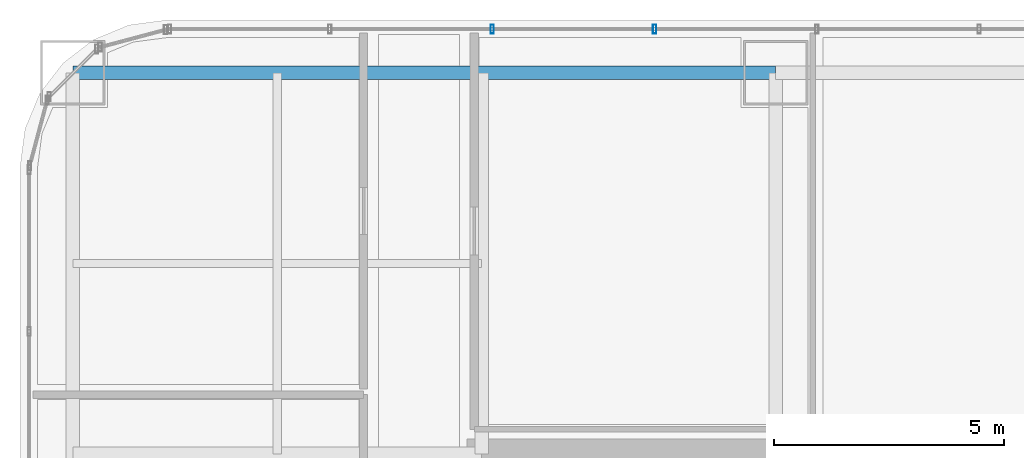
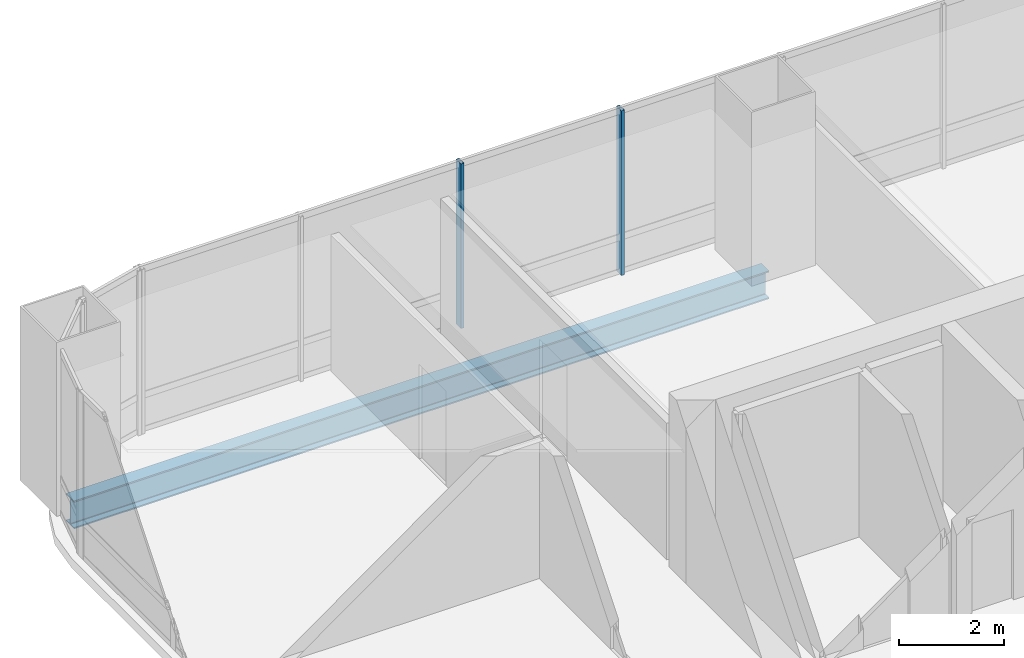
# One storey, part 21 of 36: 2 members, 1 beam, 1 element without a shape of its own.
"""IFC4 building model written with IfcOpenShell, lengths in metres."""

from ifc_helpers import new_model, si_unit, direction, frame, origin, origin_2d, place, context, subcontext, project, spatial, hollow_rectangle, i_section, extrude, material, material_profile, profile_set, type_object, element, aggregate, save


model = new_model("IFC4")

# Units and contexts
model_context = context("Model", 3, precision=1e-05, world=origin(), true_north=direction((0.0, 1.0)))
body_context = subcontext(model_context, "Body", "Model", "MODEL_VIEW")
ifc_project = project(units=[si_unit("LENGTHUNIT", "METRE"), si_unit("AREAUNIT", "SQUARE_METRE"), si_unit("VOLUMEUNIT", "CUBIC_METRE"), si_unit("PLANEANGLEUNIT", "RADIAN"), si_unit("MASSUNIT", "GRAM", prefix="KILO")], contexts=[model_context])

# Site, building, storey
site_placement = place(None, origin())
site = spatial("IfcSite", under=ifc_project, at=site_placement, CompositionType="ELEMENT")
building_placement = place(site_placement, origin())
building = spatial("IfcBuilding", under=site, at=building_placement, Name="Punatoya Terracotta Tower", CompositionType="ELEMENT")
storey_placement = place(building_placement, frame((0.0, 0.0, 212.699951171875)))
storey = spatial("IfcBuildingStorey", under=building, at=storey_placement, Name="L50", CompositionType="ELEMENT", Elevation=212.699951171875)

# Beam
ifc_material_1 = material(Name="Steel S355", Category="steel")
ifc_material_profile_1 = material_profile(ifc_material_1, i_section(OverallWidth=0.300048828125, OverallDepth=0.64990234375, WebThickness=0.01611328125, FlangeThickness=0.031005859375, FilletRadius=0.01806640625, at=origin_2d()))
ifc_profile_set_1 = profile_set([ifc_material_profile_1], Name="Steel S355")
beam_type = type_object("IfcBeamType", Name="BM-PRI-650", PredefinedType="BEAM", material=ifc_profile_set_1)
beam_placement = place(storey_placement, frame((-19.10009765625, 17.5, -0.544921875), z_axis=(1.0, 0.0, 0.0), x_axis=(0.0, 1.0, 0.0)))
element("IfcBeam", 1, at=beam_placement, inside=storey, type_object=beam_type, Name="BM-L50-RG-N1", PredefinedType="BEAM", context=body_context, shape_type="SweptSolid", body=[
    extrude(i_section(OverallWidth=0.300048828125, OverallDepth=0.64990234375, WebThickness=0.01611328125, FlangeThickness=0.031005859375, FilletRadius=0.01806640625, at=origin_2d()), origin(), (0.0, 0.0, 1.0), 15.300048828125),
])

# Curtain wall, members
ifc_material_2 = material(Name="Aluminium 6063-T6 + Double Low-E Glass", Category="aluminium")
curtain_wall_type = type_object("IfcCurtainWallType", Name="CW-M2", PredefinedType="NOTDEFINED", material=ifc_material_2)
curtain_wall_placement = place(storey_placement, origin())
curtain_wall = element("IfcCurtainWall", 2, at=curtain_wall_placement, inside=storey, type_object=curtain_wall_type, Name="L50 Curtain Wall CW-L50-N09-1", PredefinedType="NOTDEFINED")
ifc_material_3 = material(Name="Aluminium 6063-T6", Category="aluminium")
ifc_material_profile_2 = material_profile(ifc_material_3, hollow_rectangle(XDim=0.072021484375, YDim=0.195068359375, WallThickness=0.00439453125, at=origin_2d()))
ifc_profile_set_2 = profile_set([ifc_material_profile_2], Name="Aluminium 6063-T6")
member_type = type_object("IfcMemberType", Name="CW-MUL-M2", PredefinedType="MULLION", material=ifc_profile_set_2)
member_1_placement = place(storey_placement, frame((-6.43505859375, 18.449951171875, 0.0), z_axis=(0.0, 0.0, 1.0), x_axis=(1.0, 0.0, 0.0)))
member_1 = element("IfcMember", 3, at=member_1_placement, type_object=member_type, Name="CW-L50-N09-1 Mullion 08", PredefinedType="MULLION", context=body_context, shape_type="SweptSolid", body=[
    extrude(hollow_rectangle(XDim=0.072021484375, YDim=0.195068359375, WallThickness=0.00439453125, at=origin_2d()), origin(), (0.0, 0.0, 1.0), 3.830078125),
])
member_2_placement = place(storey_placement, frame((-9.968994140625, 18.449951171875, 0.0), z_axis=(0.0, 0.0, 1.0), x_axis=(1.0, 0.0, 0.0)))
member_2 = element("IfcMember", 4, at=member_2_placement, type_object=member_type, Name="CW-L50-N09-1 Mullion 09", PredefinedType="MULLION", context=body_context, shape_type="SweptSolid", body=[
    extrude(hollow_rectangle(XDim=0.072021484375, YDim=0.195068359375, WallThickness=0.00439453125, at=origin_2d()), origin(), (0.0, 0.0, 1.0), 3.830078125),
])
aggregate(curtain_wall, [member_1, member_2])

save(model, "model.ifc")
